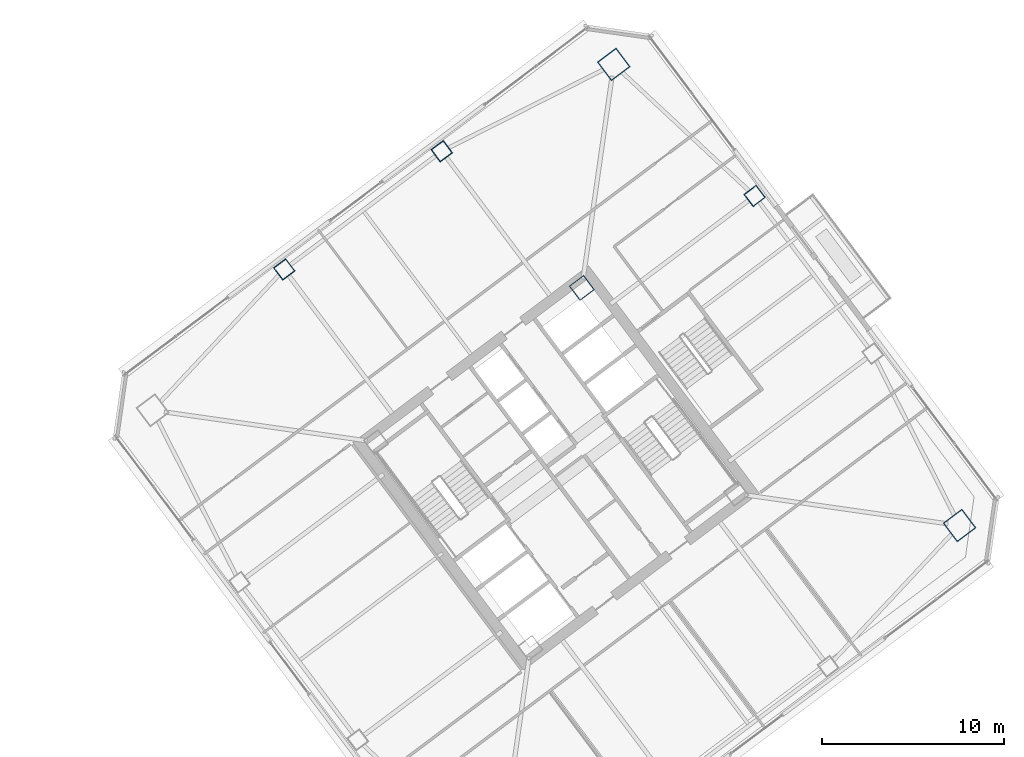
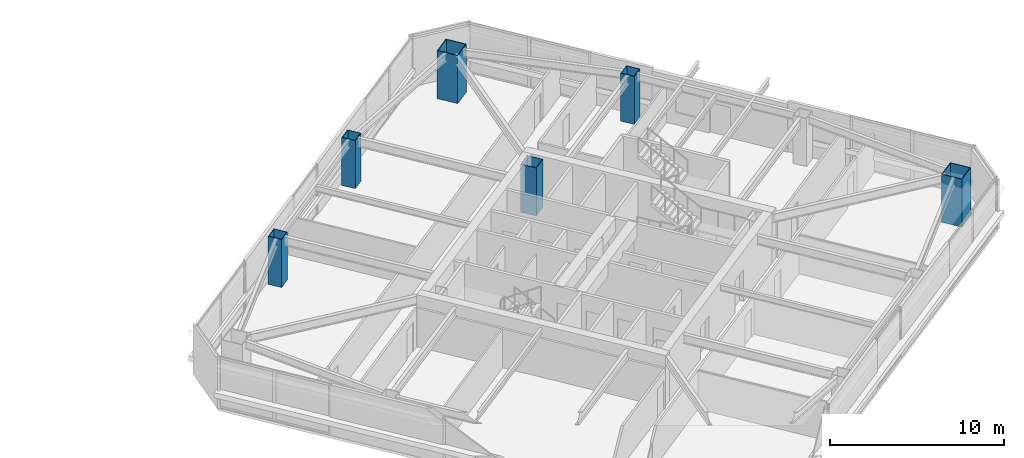
# One storey, part 2 of 44: 6 columns.
"""IFC4 building model written with IfcOpenShell, lengths in metres."""

from ifc_helpers import new_model, si_unit, direction, frame, origin, origin_2d, place, context, subcontext, project, spatial, hollow_rectangle, extrude, material, material_profile, profile_set, type_object, element, save


model = new_model("IFC4")

# Units and contexts
model_context = context("Model", 3, precision=1e-05, world=origin(), true_north=direction((0.0, 1.0)))
body_context = subcontext(model_context, "Body", "Model", "MODEL_VIEW")
ifc_project = project(units=[si_unit("LENGTHUNIT", "METRE"), si_unit("AREAUNIT", "SQUARE_METRE"), si_unit("VOLUMEUNIT", "CUBIC_METRE"), si_unit("PLANEANGLEUNIT", "RADIAN"), si_unit("MASSUNIT", "GRAM", prefix="KILO")], contexts=[model_context])

# Site, building, storey
site_placement = place(None, origin())
site = spatial("IfcSite", under=ifc_project, at=site_placement, CompositionType="ELEMENT")
building_placement = place(site_placement, origin())
building = spatial("IfcBuilding", under=site, at=building_placement, Name="Tashvorn Skyway Center", CompositionType="ELEMENT")
storey_placement = place(building_placement, frame((0.0, 0.0, 128.60009765625)))
storey = spatial("IfcBuildingStorey", under=building, at=storey_placement, Name="L34", CompositionType="ELEMENT", Elevation=128.60009765625)

# Columns
ifc_material = material(Name="Steel ASTM A572 Grade 50", Category="steel")
ifc_material_profile_1 = material_profile(ifc_material, hollow_rectangle(XDim=1.0, YDim=1.0, WallThickness=0.0400390625, at=origin_2d()), Name="BOX1000x1000x40")
ifc_profile_set_1 = profile_set([ifc_material_profile_1], Name="Steel ASTM A572 Grade 50")
column_type_1 = type_object("IfcColumnType", Name="COL-BOX1000x1000x40", PredefinedType="COLUMN", material=ifc_profile_set_1)
column_placement = place(storey_placement, frame((115.409912109375, 41.8701171875, 0.0), z_axis=(0.0, 0.0, 1.0), x_axis=(0.799999996291, 0.600000004945, 0.0)))
element("IfcColumn", 1, at=column_placement, inside=storey, type_object=column_type_1, Name="Tower 2 L34 Core Corner Column CC-NE", PredefinedType="COLUMN", context=body_context, shape_type="SweptSolid", body=[
    extrude(hollow_rectangle(XDim=1.0, YDim=1.0, WallThickness=0.0400390625, at=origin_2d()), origin(), (0.0, 0.0, 1.0), 3.369873046875),
])
ifc_material_profile_2 = material_profile(ifc_material, hollow_rectangle(XDim=1.300048828125, YDim=1.300048828125, WallThickness=0.050048828125, at=origin_2d()), Name="BOX1300x1300x50")
ifc_profile_set_2 = profile_set([ifc_material_profile_2], Name="Steel ASTM A572 Grade 50")
column_type_2 = type_object("IfcColumnType", Name="COL-BOX1300x1300x50", PredefinedType="COLUMN", material=ifc_profile_set_2)
for number, where, z_axis, x_axis, name in (
    (2, (136.1201171875, 28.840087890625, 0.0), (0.0, 0.0, 1.0), (0.799999996291, 0.600000004945, 0.0), "Tower 2 L34 Mega-Column MC-SE"),
    (3, (117.159912109375, 54.1201171875, 0.0), (0.0, 0.0, 1.0), (0.799999996291, 0.600000004945, 0.0), "Tower 2 L34 Mega-Column MC-NE"),
):
    element("IfcColumn", number, at=place(storey_placement, frame(where, z_axis=z_axis, x_axis=x_axis)), inside=storey, type_object=column_type_2, Name=name, PredefinedType="COLUMN", context=body_context, shape_type="SweptSolid", body=[
        extrude(hollow_rectangle(XDim=1.300048828125, YDim=1.300048828125, WallThickness=0.050048828125, at=origin_2d()), origin(), (0.0, 0.0, 1.0), 3.369873046875),
    ])
ifc_material_profile_3 = material_profile(ifc_material, hollow_rectangle(XDim=0.85009765625, YDim=0.85009765625, WallThickness=0.034912109375, at=origin_2d()), Name="BOX850x850x35")
ifc_profile_set_3 = profile_set([ifc_material_profile_3], Name="Steel ASTM A572 Grade 50")
column_type_3 = type_object("IfcColumnType", Name="COL-BOX850x850x35", PredefinedType="COLUMN", material=ifc_profile_set_3)
for number, where, z_axis, x_axis, name in (
    (4, (124.8798828125, 46.909912109375, 0.0), (0.0, 0.0, 1.0), (0.799999996291, 0.600000004945, 0.0), "Tower 2 L34 Perimeter Column FC-E2"),
    (5, (107.72998046875, 49.360107421875, 0.0), (0.0, 0.0, 1.0), (0.799999996291, 0.600000004945, 0.0), "Tower 2 L34 Perimeter Column FC-N1"),
    (6, (99.090087890625, 42.8798828125, 0.0), (0.0, 0.0, 1.0), (0.799999996291, 0.600000004945, 0.0), "Tower 2 L34 Perimeter Column FC-N2"),
):
    element("IfcColumn", number, at=place(storey_placement, frame(where, z_axis=z_axis, x_axis=x_axis)), inside=storey, type_object=column_type_3, Name=name, PredefinedType="COLUMN", context=body_context, shape_type="SweptSolid", body=[
        extrude(hollow_rectangle(XDim=0.85009765625, YDim=0.85009765625, WallThickness=0.034912109375, at=origin_2d()), origin(), (0.0, 0.0, 1.0), 3.369873046875),
    ])

save(model, "model.ifc")
